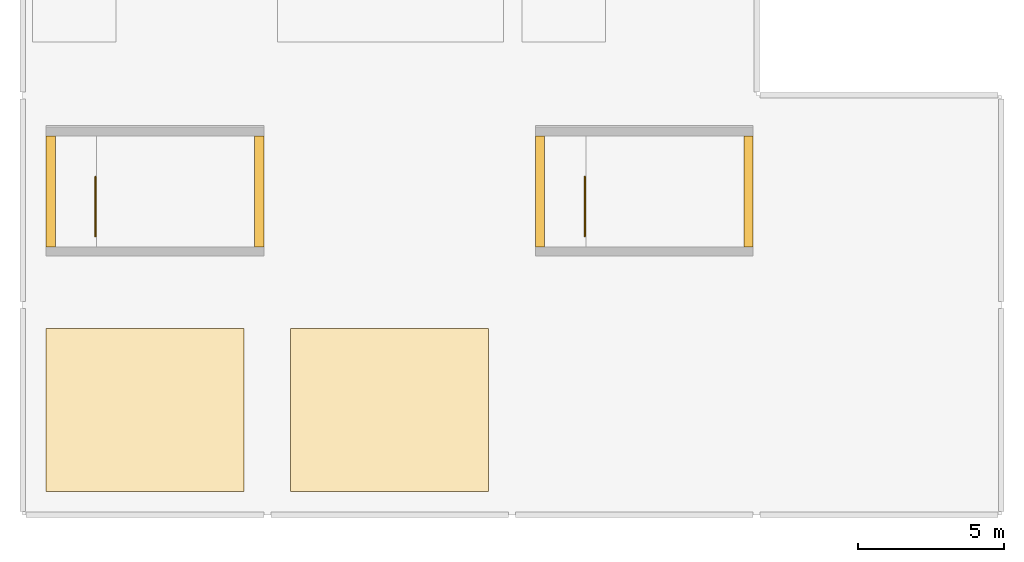
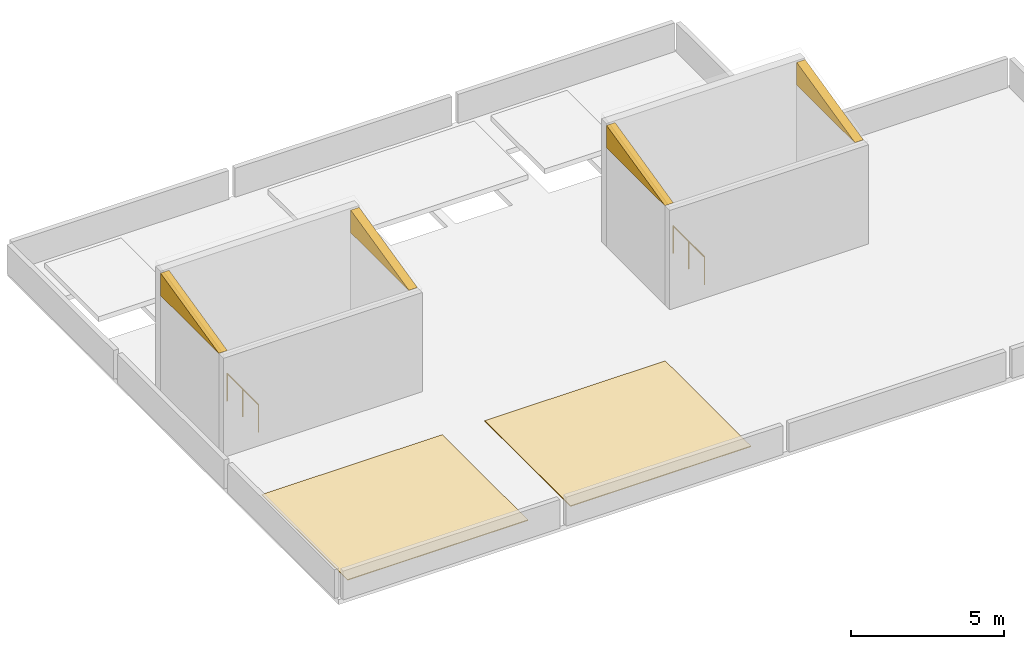
# One storey, part 2 of 2: 6 coverings, 2 railings.
"""IFC4 building model written with IfcOpenShell, lengths in metres."""

from ifc_helpers import new_model, si_unit, derived_unit, direction, frame, origin, origin_2d, place, context, subcontext, project, spatial, polyline, circle, outline, extrude, material, layer, layer_set, type_object, element, save


model = new_model("IFC4")

# Units and contexts
model_context = context("Model", 3, precision=1e-05, world=origin(), true_north=direction((0.0, 1.0)))
body_context = subcontext(model_context, "Body", "Model", "MODEL_VIEW")
ifc_project = project(units=[si_unit("LENGTHUNIT", "METRE"), si_unit("AREAUNIT", "SQUARE_METRE"), si_unit("VOLUMEUNIT", "CUBIC_METRE"), si_unit("PLANEANGLEUNIT", "RADIAN"), si_unit("MASSUNIT", "GRAM", prefix="KILO"), derived_unit("THERMALTRANSMITTANCEUNIT", [(si_unit("MASSUNIT", "GRAM", prefix="KILO"), 1), (si_unit("TIMEUNIT", "SECOND"), -3), (si_unit("THERMODYNAMICTEMPERATUREUNIT", "KELVIN"), -1)])], contexts=[model_context])

# Site, building, storey
site_placement = place(None, origin())
site = spatial("IfcSite", under=ifc_project, at=site_placement, CompositionType="ELEMENT")
building_placement = place(site_placement, origin())
building = spatial("IfcBuilding", under=site, at=building_placement, Name="Veldstrom Oceanarium and Marine Research Institute", CompositionType="ELEMENT")
storey_placement = place(building_placement, frame((0.0, 0.0, 73.800048828125)))
storey = spatial("IfcBuildingStorey", under=building, at=storey_placement, Name="ROOF", CompositionType="ELEMENT", Elevation=73.800048828125)

# Coverings
ifc_material_1 = material(Name="Precast concrete C40/50", Category="concrete")
ifc_layer_1 = layer(ifc_material_1, 0.320068359375)
ifc_layer_set_1 = layer_set([ifc_layer_1], Name="ARC-COV-GB1")
covering_type_1 = type_object("IfcCoveringType", Name="ARC-COV-GB1", PredefinedType="CLADDING", material=ifc_layer_set_1)
for number, where, z_axis, x_axis, name in (
    (1, (76.56005859375, 52.39990234375, 3.945068359375), (0.0, 0.0, 1.0), (0.0, 1.0, 0.0), "Stair Head-House Gable Spandrel ST1-W"),
    (2, (83.719970703125, 52.39990234375, 3.945068359375), (0.0, 0.0, 1.0), (0.0, 1.0, 0.0), "Stair Head-House Gable Spandrel ST1-E"),
    (3, (93.360107421875, 52.39990234375, 3.945068359375), (0.0, 0.0, 1.0), (0.0, 1.0, 0.0), "Stair Head-House Gable Spandrel ST2-W"),
    (4, (100.52001953125, 52.39990234375, 3.945068359375), (0.0, 0.0, 1.0), (0.0, 1.0, 0.0), "Stair Head-House Gable Spandrel ST2-E"),
):
    element("IfcCovering", number, at=place(storey_placement, frame(where, z_axis=z_axis, x_axis=x_axis)), inside=storey, type_object=covering_type_1, Name=name, PredefinedType="CLADDING", context=body_context, shape_type="SweptSolid", body=[
        extrude(outline(polyline([(0.0, 0.0), (3.800048828125, 0.0), (3.800048828125, 0.89892578125), (0.0, 0.0087890625), (0.0, 0.0)])), frame((0.0, 0.16015625, 0.0), z_axis=(0.0, -1.0, 0.0), x_axis=(1.0, 0.0, 0.0)), (0.0, 0.0, 1.0), 0.320068359375),
    ])
ifc_material_2 = material(Name="TPO Waterproofing Membrane", Category="membrane")
ifc_layer_2 = layer(ifc_material_2, 0.030029296875)
ifc_layer_set_2 = layer_set([ifc_layer_2], Name="ARC-COV-RF1")
covering_type_2 = type_object("IfcCoveringType", Name="ARC-COV-RF1", PredefinedType="ROOFING", material=ifc_layer_set_2)
covering_1_placement = place(storey_placement, origin())
element("IfcCovering", 5, at=covering_1_placement, inside=storey, type_object=covering_type_2, Name="TPO Roof Waterproofing Membrane L15-01", PredefinedType="ROOFING", context=body_context, shape_type="SweptSolid", body=[
    extrude(outline(polyline([(76.39990234375, 44.0), (83.199951171875, 44.0), (83.199951171875, 49.60009765625), (76.39990234375, 49.60009765625), (76.39990234375, 44.0)])), origin(), (0.0, 0.0, 1.0), 0.030029296875),
])
covering_2_placement = place(storey_placement, origin())
element("IfcCovering", 6, at=covering_2_placement, inside=storey, type_object=covering_type_2, Name="TPO Roof Waterproofing Membrane L15-02", PredefinedType="ROOFING", context=body_context, shape_type="SweptSolid", body=[
    extrude(outline(polyline([(84.800048828125, 44.0), (91.60009765625, 44.0), (91.60009765625, 49.60009765625), (84.800048828125, 49.60009765625), (84.800048828125, 44.0)])), origin(), (0.0, 0.0, 1.0), 0.030029296875),
])

# Railings
ifc_material_3 = material(Name="Duplex Stainless Steel Balustrade", Category="steel")
ifc_layer_3 = layer(ifc_material_3, 0.06005859375)
ifc_layer_set_3 = layer_set([ifc_layer_3], Name="ARC-RLG-GR1")
railing_type = type_object("IfcRailingType", Name="ARC-RLG-GR1", PredefinedType="GUARDRAIL", material=ifc_layer_set_3)
for number, where, name in (
    (7, (78.10009765625, 52.760009765625, 0.0), "Stair Well Landing Guard ST1 ROOF"),
    (8, (94.89990234375, 52.760009765625, 0.0), "Stair Well Landing Guard ST2 ROOF"),
):
    element("IfcRailing", number, at=place(storey_placement, frame(where)), inside=storey, type_object=railing_type, Name=name, PredefinedType="GUARDRAIL", context=body_context, shape_type="SweptSolid", body=[
        extrude(circle(Radius=0.02392578125, at=origin_2d()), frame((0.0, 0.0, 1.09619140625), z_axis=(0.0, 1.0, 0.0), x_axis=(-1.0, 0.0, 0.0)), (0.0, 0.0, 1.0), 2.0400390625),
        extrude(circle(Radius=0.02099609375, at=origin_2d()), origin(), (0.0, 0.0, 1.0), 1.072021484375),
        extrude(circle(Radius=0.02099609375, at=origin_2d()), frame((0.0, 1.02001953125, 0.0)), (0.0, 0.0, 1.0), 1.072021484375),
        extrude(circle(Radius=0.02099609375, at=origin_2d()), frame((0.0, 2.0400390625, 0.0)), (0.0, 0.0, 1.0), 1.072021484375),
    ])

save(model, "model.ifc")
